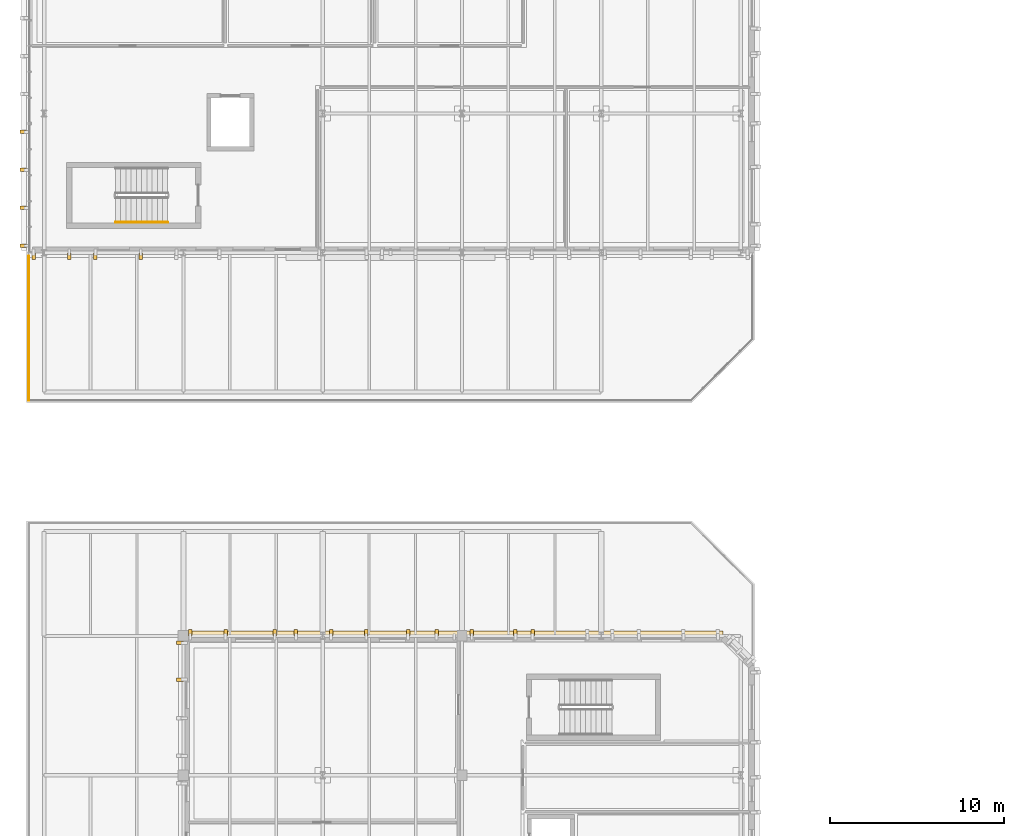
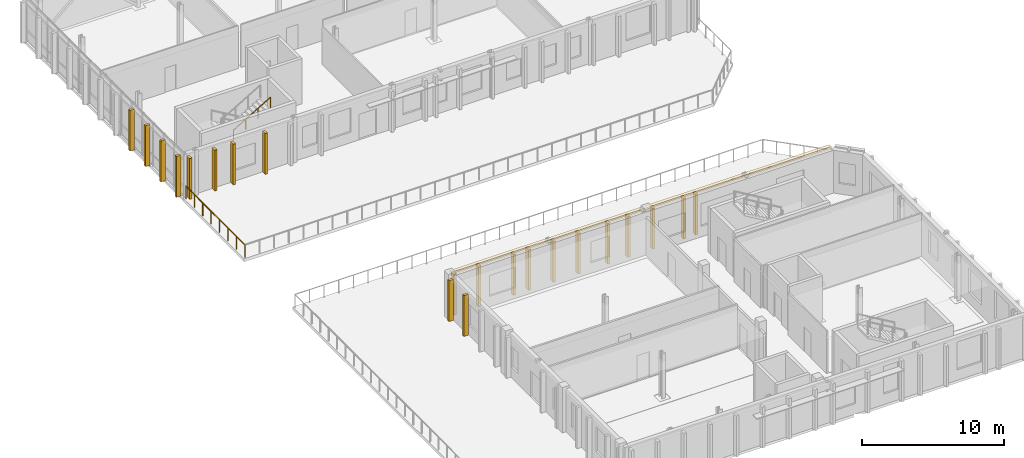
# One storey, part 37 of 43: 22 coverings, 2 railings.
"""IFC4 building model written with IfcOpenShell, lengths in metres."""

from ifc_helpers import new_model, si_unit, direction, frame, origin, origin_2d, place, context, subcontext, project, spatial, rectangle, circle, extrude, material, layer, layer_set, type_object, element, save


model = new_model("IFC4")

# Units and contexts
model_context = context("Model", 3, precision=1e-05, world=origin(), true_north=direction((0.0, 1.0)))
body_context = subcontext(model_context, "Body", "Model", "MODEL_VIEW")
ifc_project = project(units=[si_unit("LENGTHUNIT", "METRE"), si_unit("AREAUNIT", "SQUARE_METRE"), si_unit("VOLUMEUNIT", "CUBIC_METRE"), si_unit("PLANEANGLEUNIT", "RADIAN"), si_unit("MASSUNIT", "GRAM", prefix="KILO")], contexts=[model_context])

# Site, building, storey
site_placement = place(None, origin())
site = spatial("IfcSite", under=ifc_project, at=site_placement, CompositionType="ELEMENT")
building_placement = place(site_placement, origin())
building = spatial("IfcBuilding", under=site, at=building_placement, Name="Cymarion Research Institute", CompositionType="ELEMENT")
storey_placement = place(building_placement, frame((0.0, 0.0, 22.800048828125)))
storey = spatial("IfcBuildingStorey", under=building, at=storey_placement, Name="L05", CompositionType="ELEMENT", Elevation=22.800048828125)

# Railing
ifc_material_1 = material(Name="Steel S355", Category="steel")
railing_type_1 = type_object("IfcRailingType", Name="LAMINATED GLASS AND STEEL BALUSTRADE BAL1 1120MM", PredefinedType="BALUSTRADE", material=ifc_material_1)
railing_1_placement = place(storey_placement, frame((5.719970703125, 85.02001953125, 0.0)))
element("IfcRailing", 1, at=railing_1_placement, inside=storey, type_object=railing_type_1, Name="L05 V5 roof garden perimeter balustrade #5", PredefinedType="BALUSTRADE", context=body_context, shape_type="SweptSolid", body=[
    extrude(circle(Radius=0.02392578125, at=origin_2d()), frame((0.0, 0.0, 1.09619140625), z_axis=(0.0, 1.0, 0.0), x_axis=(-1.0, 0.0, 0.0)), (0.0, 0.0, 1.0), 8.300048828125),
    extrude(circle(Radius=0.02099609375, at=origin_2d()), origin(), (0.0, 0.0, 1.0), 1.072021484375),
    extrude(circle(Radius=0.02099609375, at=origin_2d()), frame((0.0, 1.185791015625, 0.0)), (0.0, 0.0, 1.0), 1.072021484375),
    extrude(circle(Radius=0.02099609375, at=origin_2d()), frame((0.0, 2.371337890625, 0.0)), (0.0, 0.0, 1.0), 1.072021484375),
    extrude(circle(Radius=0.02099609375, at=origin_2d()), frame((0.0, 3.55712890625, 0.0)), (0.0, 0.0, 1.0), 1.072021484375),
    extrude(circle(Radius=0.02099609375, at=origin_2d()), frame((0.0, 4.742919921875, 0.0)), (0.0, 0.0, 1.0), 1.072021484375),
    extrude(circle(Radius=0.02099609375, at=origin_2d()), frame((0.0, 5.9287109375, 0.0)), (0.0, 0.0, 1.0), 1.072021484375),
    extrude(circle(Radius=0.02099609375, at=origin_2d()), frame((0.0, 7.1142578125, 0.0)), (0.0, 0.0, 1.0), 1.072021484375),
    extrude(circle(Radius=0.02099609375, at=origin_2d()), frame((0.0, 8.300048828125, 0.0)), (0.0, 0.0, 1.0), 1.072021484375),
])

# Coverings
ifc_material_2 = material(Name="Precast concrete C45/55 architectural white", Category="concrete")
ifc_layer_1 = layer(ifc_material_2, 0.260009765625)
ifc_layer_set_1 = layer_set([ifc_layer_1], Name="Precast concrete C45/55 architectural white")
covering_type_1 = type_object("IfcCoveringType", Name="SCULPTURAL WHITE PRECAST CONCRETE SPANDREL BROW BAND RIB2 280MM", PredefinedType="CLADDING", material=ifc_layer_set_1)
covering_placement = place(storey_placement, frame((30.14990234375, 71.64208984375, 3.52001953125), z_axis=(0.0, 0.0, 1.0), x_axis=(0.0, 1.0, 0.0)))
element("IfcCovering", 2, at=covering_placement, inside=storey, type_object=covering_type_1, Name="L05 V4 precast spandrel brow band RIB2 #1007", PredefinedType="CLADDING", context=body_context, shape_type="SweptSolid", body=[
    extrude(rectangle(XDim=0.280029296875, YDim=30.860107421875, at=origin_2d()), origin(), (0.0, 0.0, 1.0), 0.260009765625),
])
ifc_layer_2 = layer(ifc_material_2, 0.199951171875)
ifc_layer_set_2 = layer_set([ifc_layer_2], Name="Precast concrete C45/55 architectural white")
covering_type_2 = type_object("IfcCoveringType", Name="SCULPTURAL WHITE PRECAST CONCRETE VERTICAL RIB RIB1 380X200", PredefinedType="CLADDING", material=ifc_layer_set_2)
for number, where, z_axis, x_axis, name in (
    (3, (34.6552734375, 71.69189453125, 0.010009765625), (0.0, 0.0, 1.0), (0.0, 1.0, 0.0), "L05 V4 sculptural precast vertical rib RIB1 #1013"),
    (4, (33.670166015625, 71.69189453125, 0.010009765625), (0.0, 0.0, 1.0), (0.0, 1.0, 0.0), "L05 V4 sculptural precast vertical rib RIB1 #1014"),
    (5, (31.159912109375, 71.69189453125, 0.010009765625), (0.0, 0.0, 1.0), (0.0, 1.0, 0.0), "L05 V4 sculptural precast vertical rib RIB1 #1015"),
    (6, (29.139892578125, 71.69189453125, 0.010009765625), (0.0, 0.0, 1.0), (0.0, 1.0, 0.0), "L05 V4 sculptural precast vertical rib RIB1 #1016"),
    (7, (27.500244140625, 71.69189453125, 0.010009765625), (0.0, 0.0, 1.0), (0.0, 1.0, 0.0), "L05 V4 sculptural precast vertical rib RIB1 #1017"),
    (8, (25.10009765625, 71.69189453125, 0.010009765625), (0.0, 0.0, 1.0), (0.0, 1.0, 0.0), "L05 V4 sculptural precast vertical rib RIB1 #1018"),
    (9, (23.080078125, 71.69189453125, 0.010009765625), (0.0, 0.0, 1.0), (0.0, 1.0, 0.0), "L05 V4 sculptural precast vertical rib RIB1 #1019"),
    (10, (21.06005859375, 71.69189453125, 0.010009765625), (0.0, 0.0, 1.0), (0.0, 1.0, 0.0), "L05 V4 sculptural precast vertical rib RIB1 #1020"),
    (11, (19.85009765625, 71.69189453125, 0.010009765625), (0.0, 0.0, 1.0), (0.0, 1.0, 0.0), "L05 V4 sculptural precast vertical rib RIB1 #1021"),
    (12, (17.02001953125, 71.69189453125, 0.010009765625), (0.0, 0.0, 1.0), (0.0, 1.0, 0.0), "L05 V4 sculptural precast vertical rib RIB1 #1022"),
    (13, (15.0, 71.69189453125, 0.010009765625), (0.0, 0.0, 1.0), (0.0, 1.0, 0.0), "L05 V4 sculptural precast vertical rib RIB1 #1023"),
    (14, (14.407958984375, 71.10009765625, 0.010009765625), (0.0, 0.0, 1.0), (-1.0, 0.0, 0.0), "L05 V4 sculptural precast vertical rib RIB1 #1025"),
    (15, (14.407958984375, 68.993896484375, 0.010009765625), (0.0, 0.0, 1.0), (-1.0, 0.0, 0.0), "L05 V4 sculptural precast vertical rib RIB1 #1026"),
    (16, (6.0, 93.30810546875, 0.010009765625), (0.0, 0.0, 1.0), (0.0, -1.0, 0.0), "L05 V5 sculptural precast vertical rib RIB1 #1037"),
    (17, (8.050048828125, 93.30810546875, 0.010009765625), (0.0, 0.0, 1.0), (0.0, -1.0, 0.0), "L05 V5 sculptural precast vertical rib RIB1 #1038"),
    (18, (9.550048828125, 93.30810546875, 0.010009765625), (0.0, 0.0, 1.0), (0.0, -1.0, 0.0), "L05 V5 sculptural precast vertical rib RIB1 #1039"),
    (19, (12.14990234375, 93.30810546875, 0.010009765625), (0.0, 0.0, 1.0), (0.0, -1.0, 0.0), "L05 V5 sculptural precast vertical rib RIB1 #1040"),
    (20, (5.407958984375, 100.43994140625, 0.010009765625), (0.0, 0.0, 1.0), (-1.0, 0.0, 0.0), "L05 V5 sculptural precast vertical rib RIB1 #1098"),
    (21, (5.407958984375, 98.260009765625, 0.010009765625), (0.0, 0.0, 1.0), (-1.0, 0.0, 0.0), "L05 V5 sculptural precast vertical rib RIB1 #1099"),
    (22, (5.407958984375, 96.080078125, 0.010009765625), (0.0, 0.0, 1.0), (-1.0, 0.0, 0.0), "L05 V5 sculptural precast vertical rib RIB1 #1100"),
    (23, (5.407958984375, 93.89990234375, 0.010009765625), (0.0, 0.0, 1.0), (-1.0, 0.0, 0.0), "L05 V5 sculptural precast vertical rib RIB1 #1101"),
):
    element("IfcCovering", number, at=place(storey_placement, frame(where, z_axis=z_axis, x_axis=x_axis)), inside=storey, type_object=covering_type_2, Name=name, PredefinedType="CLADDING", context=body_context, shape_type="SweptSolid", body=[
        extrude(rectangle(XDim=0.3798828125, YDim=0.199951171875, at=origin_2d()), origin(), (0.0, 0.0, 1.0), 3.5048828125),
    ])

# Railing
railing_type_2 = type_object("IfcRailingType", Name="STAINLESS STEEL STAIR HANDRAIL HR1 900MM", PredefinedType="HANDRAIL", material=ifc_material_1)
railing_2_placement = place(storey_placement, frame((10.699951171875, 95.25, 2.127197265625)))
element("IfcRailing", 24, at=railing_2_placement, inside=storey, type_object=railing_type_2, Name="L05 ST9 stair handrail 2", PredefinedType="HANDRAIL", context=body_context, shape_type="SweptSolid", body=[
    extrude(circle(Radius=0.02392578125, at=origin_2d()), frame((0.0, 0.0, 0.8759765625), z_axis=(0.86092931783, 0.0, 0.508724591208), x_axis=(0.0, 1.0, 0.0)), (0.0, 0.0, 1.0), 3.484619140625),
    extrude(circle(Radius=0.02099609375, at=origin_2d()), origin(), (0.0, 0.0, 1.0), 0.851806640625),
    extrude(circle(Radius=0.02099609375, at=origin_2d()), frame((1.0, 0.0, 0.5908203125)), (0.0, 0.0, 1.0), 0.851806640625),
    extrude(circle(Radius=0.02099609375, at=origin_2d()), frame((2.0, 0.0, 1.181884765625)), (0.0, 0.0, 1.0), 0.851806640625),
    extrude(circle(Radius=0.02099609375, at=origin_2d()), frame((3.0, 0.0, 1.772705078125)), (0.0, 0.0, 1.0), 0.851806640625),
])

save(model, "model.ifc")
